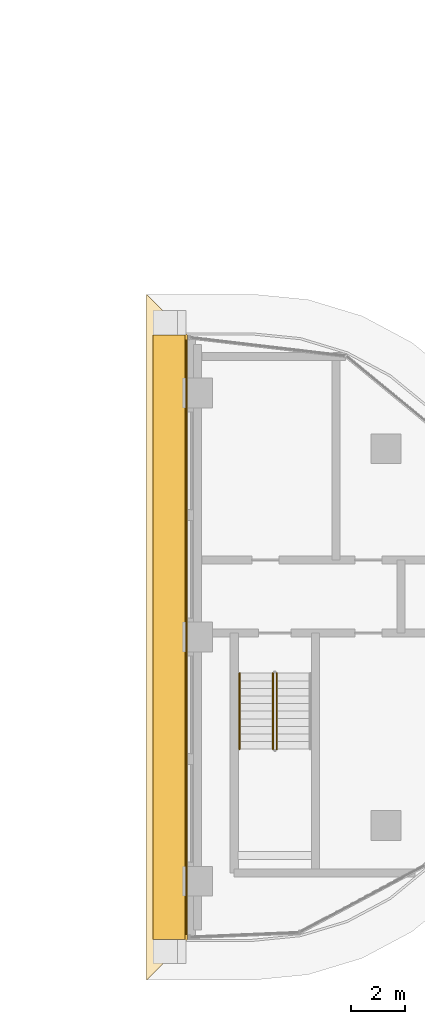
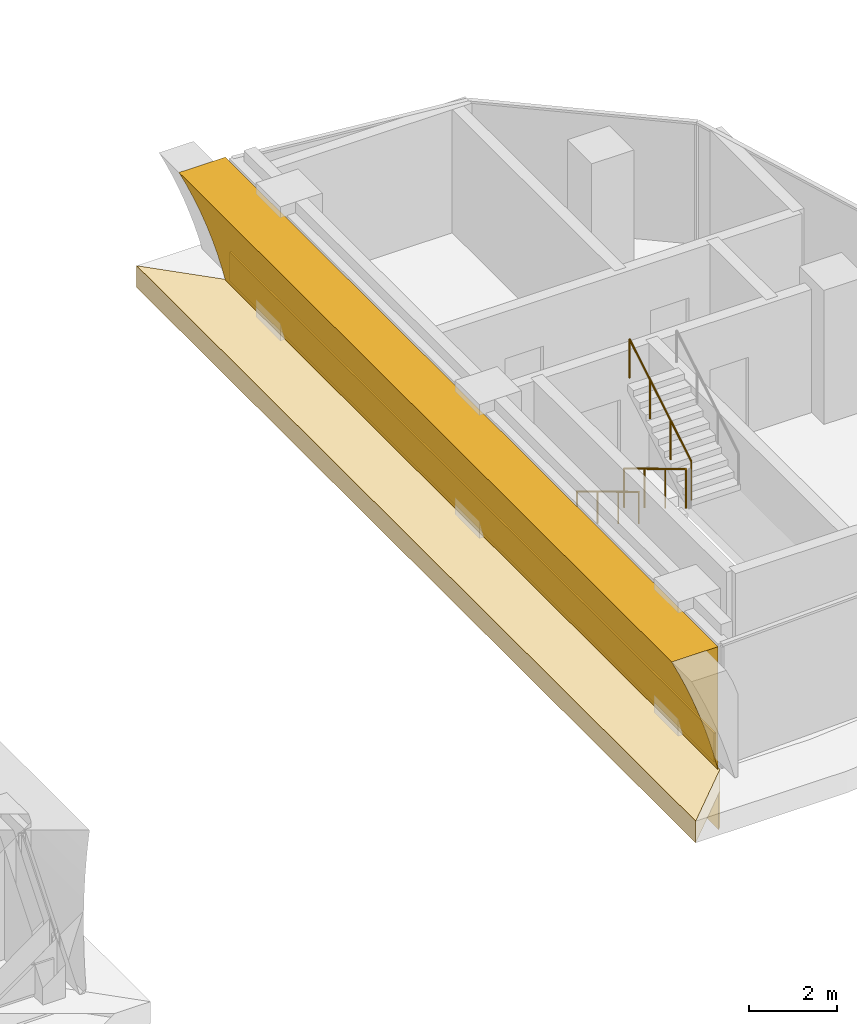
# One storey, part 22 of 26: 4 coverings, 3 railings.
"""IFC4 building model written with IfcOpenShell, lengths in metres."""

from ifc_helpers import new_model, si_unit, direction, frame, origin, origin_2d, place, context, subcontext, project, spatial, polyline, rectangle, circle, outline, extrude, material, layer, layer_set, type_object, element, save


model = new_model("IFC4")

# Units and contexts
model_context = context("Model", 3, precision=1e-05, world=origin(), true_north=direction((0.0, 1.0)))
body_context = subcontext(model_context, "Body", "Model", "MODEL_VIEW")
ifc_project = project(units=[si_unit("LENGTHUNIT", "METRE"), si_unit("AREAUNIT", "SQUARE_METRE"), si_unit("VOLUMEUNIT", "CUBIC_METRE"), si_unit("PLANEANGLEUNIT", "RADIAN"), si_unit("MASSUNIT", "GRAM", prefix="KILO")], contexts=[model_context])

# Site, building, storey
site_placement = place(None, origin())
site = spatial("IfcSite", under=ifc_project, at=site_placement, CompositionType="ELEMENT")
building_placement = place(site_placement, origin())
building = spatial("IfcBuilding", under=site, at=building_placement, Name="Ogive Portal Towers", CompositionType="ELEMENT")
storey_placement = place(building_placement, frame((0.0, 0.0, 171.800048828125)))
storey = spatial("IfcBuildingStorey", under=building, at=storey_placement, Name="L42", CompositionType="ELEMENT", Elevation=171.800048828125)

# Railings
ifc_material_1 = material(Name="Stainless steel balustrade", Category="steel")
railing_type_1 = type_object("IfcRailingType", Name="INT-GUARD", PredefinedType="GUARDRAIL", material=ifc_material_1)
railing_1_placement = place(storey_placement, frame((88.280029296875, 29.169921875, 0.168212890625)))
element("IfcRailing", 1, at=railing_1_placement, inside=storey, type_object=railing_type_1, Name="L42 ST-A4 stair guard 1", PredefinedType="GUARDRAIL", context=body_context, shape_type="SweptSolid", body=[
    extrude(circle(Radius=0.02392578125, at=origin_2d()), frame((0.0, 0.0, 1.076171875), z_axis=(0.0, -0.857255387014, 0.514891446264), x_axis=(1.0, 0.0, 0.0)), (0.0, 0.0, 1.0), 3.26611328125),
    extrude(circle(Radius=0.02099609375, at=origin_2d()), origin(), (0.0, 0.0, 1.0), 1.052001953125),
    extrude(circle(Radius=0.02099609375, at=origin_2d()), frame((0.0, -0.933349609375, 0.560546875)), (0.0, 0.0, 1.0), 1.052001953125),
    extrude(circle(Radius=0.02099609375, at=origin_2d()), frame((0.0, -1.866455078125, 1.12109375)), (0.0, 0.0, 1.0), 1.052001953125),
    extrude(circle(Radius=0.02099609375, at=origin_2d()), frame((0.0, -2.7998046875, 1.681640625)), (0.0, 0.0, 1.0), 1.052001953125),
])
railing_2_placement = place(storey_placement, frame((88.419921875, 26.3701171875, 2.01806640625)))
element("IfcRailing", 2, at=railing_2_placement, inside=storey, type_object=railing_type_1, Name="L42 ST-A4 stair guard 3", PredefinedType="GUARDRAIL", context=body_context, shape_type="SweptSolid", body=[
    extrude(circle(Radius=0.02392578125, at=origin_2d()), frame((0.0, 0.0, 1.076171875), z_axis=(0.0, 0.857222391501, 0.514946377315), x_axis=(-1.0, 0.0, 0.0)), (0.0, 0.0, 1.0), 3.26611328125),
    extrude(circle(Radius=0.02099609375, at=origin_2d()), origin(), (0.0, 0.0, 1.0), 1.052001953125),
    extrude(circle(Radius=0.02099609375, at=origin_2d()), frame((0.0, 0.933349609375, 0.560546875)), (0.0, 0.0, 1.0), 1.052001953125),
    extrude(circle(Radius=0.02099609375, at=origin_2d()), frame((0.0, 1.866455078125, 1.121337890625)), (0.0, 0.0, 1.0), 1.052001953125),
    extrude(circle(Radius=0.02099609375, at=origin_2d()), frame((0.0, 2.7998046875, 1.681884765625)), (0.0, 0.0, 1.0), 1.052001953125),
])
ifc_material_2 = material(Name="Stainless steel handrail", Category="steel")
railing_type_2 = type_object("IfcRailingType", Name="INT-HANDRAIL", PredefinedType="HANDRAIL", material=ifc_material_2)
railing_3_placement = place(storey_placement, frame((87.050048828125, 29.169921875, 0.168212890625)))
element("IfcRailing", 3, at=railing_3_placement, inside=storey, type_object=railing_type_2, Name="L42 ST-A4 stair handrail 1", PredefinedType="HANDRAIL", context=body_context, shape_type="SweptSolid", body=[
    extrude(circle(Radius=0.02392578125, at=origin_2d()), frame((0.0, 0.0, 0.8759765625), z_axis=(0.0, -0.857255387014, 0.514891446264), x_axis=(1.0, 0.0, 0.0)), (0.0, 0.0, 1.0), 3.26611328125),
    extrude(circle(Radius=0.02099609375, at=origin_2d()), origin(), (0.0, 0.0, 1.0), 0.851806640625),
    extrude(circle(Radius=0.02099609375, at=origin_2d()), frame((0.0, -0.933349609375, 0.560546875)), (0.0, 0.0, 1.0), 0.851806640625),
    extrude(circle(Radius=0.02099609375, at=origin_2d()), frame((0.0, -1.866455078125, 1.12109375)), (0.0, 0.0, 1.0), 0.851806640625),
    extrude(circle(Radius=0.02099609375, at=origin_2d()), frame((0.0, -2.7998046875, 1.681640625)), (0.0, 0.0, 1.0), 0.851806640625),
])

# Coverings
ifc_material_3 = material(Name="Limestone cladding on lightweight block wall", Category="masonry")
ifc_layer_1 = layer(ifc_material_3, 0.300048828125)
ifc_layer_set_1 = layer_set([ifc_layer_1], Name="OGIVE SOFFIT STONE")
covering_type_1 = type_object("IfcCoveringType", Name="OGIVE SOFFIT STONE", PredefinedType="CLADDING", material=ifc_layer_set_1)
covering_1_placement = place(storey_placement, frame((85.070068359375, 41.64501953125, 0.0), z_axis=(0.0, 1.0, 0.0), x_axis=(1.0, 0.0, 0.0)))
element("IfcCovering", 4, at=covering_1_placement, inside=storey, type_object=covering_type_1, Name="OGIVE SOFFIT E L42", PredefinedType="CLADDING", context=body_context, shape_type="SweptSolid", body=[
    extrude(outline(polyline([(0.0, 0.0), (0.001220703125, 0.0), (-0.104736328125, -0.425048828125), (-0.222900390625, -0.849853515625), (-0.353759765625, -1.27490234375), (-0.497802734375, -1.699951171875), (-0.655029296875, -2.125), (-0.825927734375, -2.550048828125), (-1.010986328125, -2.974853515625), (-1.2109375, -3.39990234375), (0.0, -3.39990234375), (0.0, 0.0)])), origin(), (0.0, 0.0, -1.0), 22.2900390625),
])
ifc_layer_2 = layer(ifc_material_3, 0.050048828125)
ifc_layer_set_2 = layer_set([ifc_layer_2], Name="SCREEN PERFORATED STONE")
covering_type_2 = type_object("IfcCoveringType", Name="SCREEN PERFORATED STONE", PredefinedType="CLADDING", material=ifc_layer_set_2)
covering_2_placement = place(storey_placement, frame((85.094970703125, 30.496826171875, 0.10009765625), z_axis=(0.0, 0.0, 1.0), x_axis=(0.0, -1.0, 0.0)))
element("IfcCovering", 5, at=covering_2_placement, inside=storey, type_object=covering_type_2, Name="Tracery screen", PredefinedType="CLADDING", context=body_context, shape_type="SweptSolid", body=[
    extrude(rectangle(XDim=21.91650390625, YDim=0.050048828125, at=origin_2d()), origin(), (0.0, 0.0, 1.0), 0.800048828125),
])
ifc_layer_3 = layer(ifc_material_3, 0.080078125)
ifc_layer_set_3 = layer_set([ifc_layer_3], Name="STONE SPANDREL 80")
covering_type_3 = type_object("IfcCoveringType", Name="STONE SPANDREL 80", PredefinedType="CLADDING", material=ifc_layer_set_3)
covering_3_placement = place(storey_placement, frame((0.0, 0.0, -1.60009765625)))
element("IfcCovering", 6, at=covering_3_placement, inside=storey, type_object=covering_type_3, Name="Stone spandrel A2-F01", PredefinedType="CLADDING", context=body_context, shape_type="SweptSolid", body=[
    extrude(outline(polyline([(85.1201171875, 41.64501953125), (85.1201171875, 19.35498046875), (85.0400390625, 19.27490234375), (85.0400390625, 41.72509765625), (85.1201171875, 41.64501953125)])), origin(), (0.0, 0.0, 1.0), 1.0),
])
ifc_layer_4 = layer(ifc_material_3, 0.60009765625)
ifc_layer_set_4 = layer_set([ifc_layer_4], Name="SUNSHADE LIP 600")
covering_type_4 = type_object("IfcCoveringType", Name="SUNSHADE LIP 600", PredefinedType="CLADDING", material=ifc_layer_set_4)
covering_4_placement = place(storey_placement, frame((0.0, 0.0, -0.60009765625)))
element("IfcCovering", 7, at=covering_4_placement, inside=storey, type_object=covering_type_4, Name="Sunshade lip A2-F01", PredefinedType="CLADDING", context=body_context, shape_type="SweptSolid", body=[
    extrude(outline(polyline([(85.1201171875, 41.64501953125), (85.1201171875, 19.35498046875), (83.6201171875, 17.85498046875), (83.6201171875, 43.14501953125), (85.1201171875, 41.64501953125)])), origin(), (0.0, 0.0, 1.0), 0.60009765625),
])

save(model, "model.ifc")
